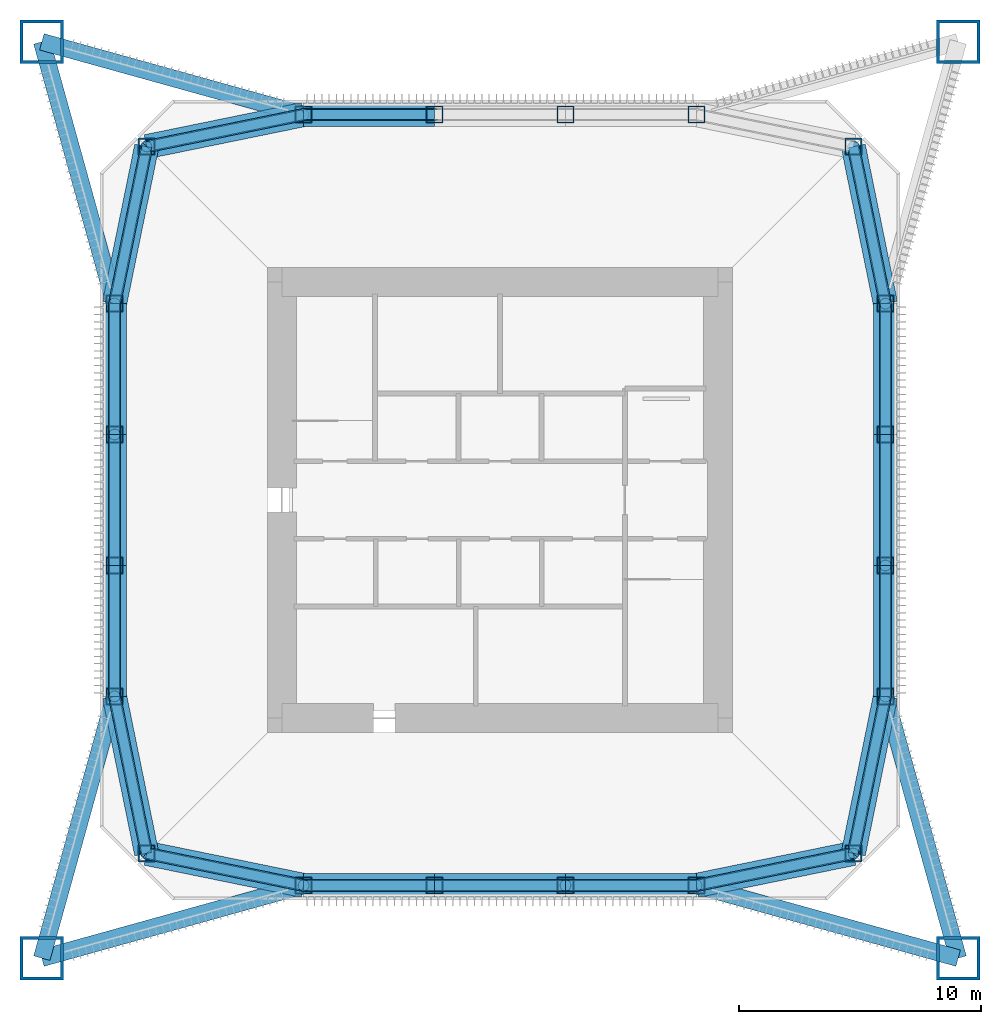
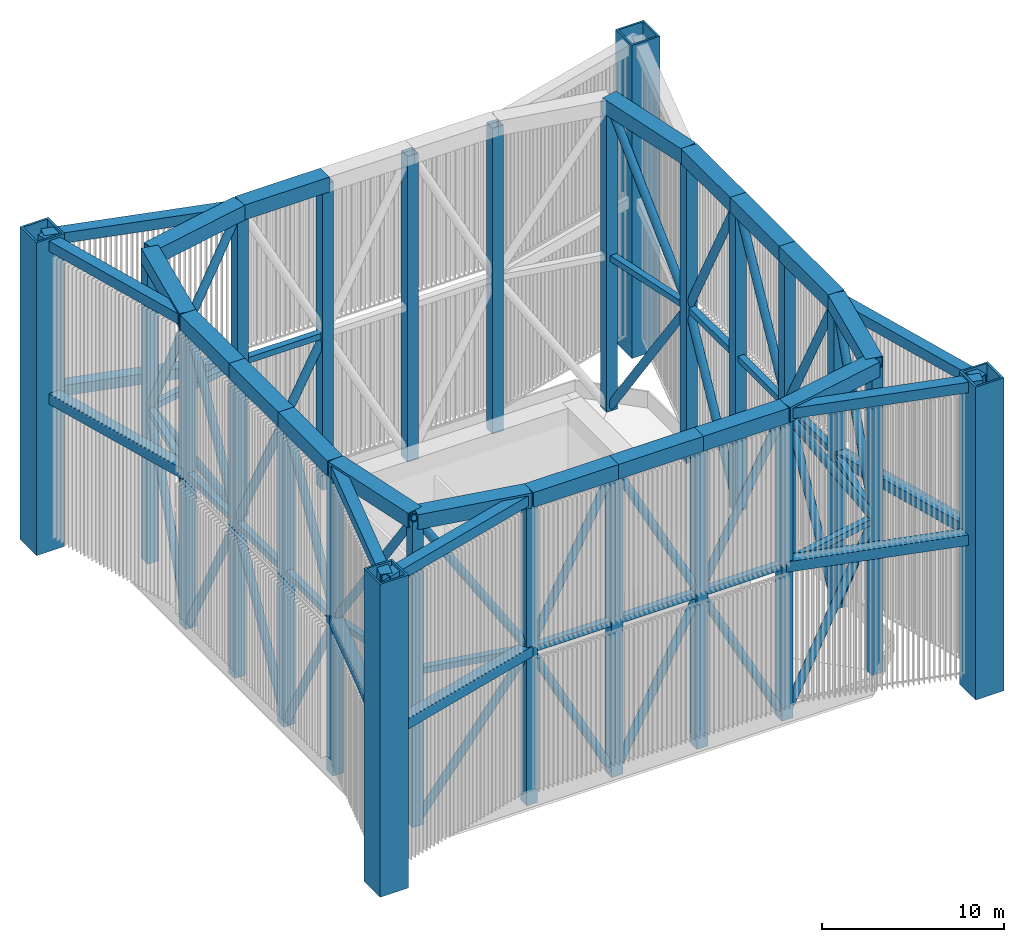
# One storey, part 1 of 13: 79 members, 24 columns.
"""IFC4 building model written with IfcOpenShell, lengths in metres."""

from ifc_helpers import new_model, si_unit, direction, frame, origin, origin_2d, place, context, subcontext, project, spatial, hollow_rectangle, hollow_circle, extrude, material, material_profile, profile_set, type_object, element, save


model = new_model("IFC4")

# Units and contexts
model_context = context("Model", 3, precision=1e-05, world=origin(), true_north=direction((0.0, 1.0)))
body_context = subcontext(model_context, "Body", "Model", "MODEL_VIEW")
ifc_project = project(units=[si_unit("LENGTHUNIT", "METRE"), si_unit("AREAUNIT", "SQUARE_METRE"), si_unit("VOLUMEUNIT", "CUBIC_METRE"), si_unit("PLANEANGLEUNIT", "RADIAN"), si_unit("MASSUNIT", "GRAM", prefix="KILO")], contexts=[model_context])

# Site, building, storey
site_placement = place(None, origin())
site = spatial("IfcSite", under=ifc_project, at=site_placement, CompositionType="ELEMENT")
building_placement = place(site_placement, origin())
building = spatial("IfcBuilding", under=site, at=building_placement, Name="Iwan Alto Co-Living Towers", CompositionType="ELEMENT")
storey_placement = place(building_placement, frame((0.0, 0.0, 267.5)))
storey = spatial("IfcBuildingStorey", under=building, at=storey_placement, Name="RF", CompositionType="ELEMENT", Elevation=267.5)

# Columns
ifc_material_1 = material(Name="Steel ASTM A572 Gr 42", Category="steel")
ifc_material_profile_1 = material_profile(ifc_material_1, hollow_rectangle(XDim=1.800048828125, YDim=1.800048828125, WallThickness=0.1298828125, at=origin_2d()), Name="BOX 1800X1800X130")
ifc_profile_set_1 = profile_set([ifc_material_profile_1], Name="Steel ASTM A572 Gr 42")
column_type_1 = type_object("IfcColumnType", Name="T1 CROWN FRAME MEGA POST BOX 1800X1800X130", PredefinedType="COLUMN", material=ifc_profile_set_1)
for number, where, z_axis, x_axis, name in (
    (1, (-18.89990234375, -18.89990234375, 0.0), (0.0, 0.0, 1.0), (1.0, 0.0, 0.0), "T1 crown frame mega post SW"),
    (2, (18.89990234375, -18.89990234375, 0.0), (0.0, 0.0, 1.0), (1.0, 0.0, 0.0), "T1 crown frame mega post SE"),
    (3, (18.89990234375, 18.89990234375, 0.0), (0.0, 0.0, 1.0), (1.0, 0.0, 0.0), "T1 crown frame mega post NE"),
    (4, (-18.89990234375, 18.89990234375, 0.0), (0.0, 0.0, 1.0), (1.0, 0.0, 0.0), "T1 crown frame mega post NW"),
):
    element("IfcColumn", number, at=place(storey_placement, frame(where, z_axis=z_axis, x_axis=x_axis)), inside=storey, type_object=column_type_1, Name=name, PredefinedType="COLUMN", context=body_context, shape_type="SweptSolid", body=[
        extrude(hollow_rectangle(XDim=1.800048828125, YDim=1.800048828125, WallThickness=0.1298828125, at=origin_2d()), origin(), (0.0, 0.0, 1.0), 21.0),
    ])
ifc_material_2 = material(Name="Steel ASTM A572 Gr 50", Category="steel")
ifc_material_profile_2 = material_profile(ifc_material_2, hollow_rectangle(XDim=0.699951171875, YDim=0.699951171875, WallThickness=0.044921875, at=origin_2d()), Name="BOX 700X700X45")
ifc_profile_set_2 = profile_set([ifc_material_profile_2], Name="Steel ASTM A572 Gr 50")
column_type_2 = type_object("IfcColumnType", Name="T1 CROWN FRAME POST BOX 700X700X45", PredefinedType="COLUMN", material=ifc_profile_set_2)
for number, where, z_axis, x_axis, name in (
    (5, (-14.57568359375, -14.57568359375, 0.0), (0.0, 0.0, 1.0), (1.0, 0.0, 0.0), "T1 crown frame post CSW"),
    (6, (-8.10009765625, -15.89990234375, 0.0), (0.0, 0.0, 1.0), (1.0, 0.0, 0.0), "T1 crown frame post S1"),
    (7, (-2.699951171875, -15.89990234375, 0.0), (0.0, 0.0, 1.0), (1.0, 0.0, 0.0), "T1 crown frame post S2"),
    (8, (2.699951171875, -15.89990234375, 0.0), (0.0, 0.0, 1.0), (1.0, 0.0, 0.0), "T1 crown frame post S3"),
    (9, (8.10009765625, -15.89990234375, 0.0), (0.0, 0.0, 1.0), (1.0, 0.0, 0.0), "T1 crown frame post S4"),
    (10, (14.57568359375, -14.57568359375, 0.0), (0.0, 0.0, 1.0), (1.0, 0.0, 0.0), "T1 crown frame post CSE"),
    (11, (15.89990234375, -8.10009765625, 0.0), (0.0, 0.0, 1.0), (1.0, 0.0, 0.0), "T1 crown frame post E1"),
    (12, (15.89990234375, -2.699951171875, 0.0), (0.0, 0.0, 1.0), (1.0, 0.0, 0.0), "T1 crown frame post E2"),
    (13, (15.89990234375, 2.699951171875, 0.0), (0.0, 0.0, 1.0), (1.0, 0.0, 0.0), "T1 crown frame post E3"),
    (14, (15.89990234375, 8.10009765625, 0.0), (0.0, 0.0, 1.0), (1.0, 0.0, 0.0), "T1 crown frame post E4"),
    (15, (14.57568359375, 14.57568359375, 0.0), (0.0, 0.0, 1.0), (1.0, 0.0, 0.0), "T1 crown frame post CNE"),
    (16, (8.10009765625, 15.89990234375, 0.0), (0.0, 0.0, 1.0), (1.0, 0.0, 0.0), "T1 crown frame post N1"),
    (17, (2.699951171875, 15.89990234375, 0.0), (0.0, 0.0, 1.0), (1.0, 0.0, 0.0), "T1 crown frame post N2"),
    (18, (-2.699951171875, 15.89990234375, 0.0), (0.0, 0.0, 1.0), (1.0, 0.0, 0.0), "T1 crown frame post N3"),
    (19, (-8.10009765625, 15.89990234375, 0.0), (0.0, 0.0, 1.0), (1.0, 0.0, 0.0), "T1 crown frame post N4"),
    (20, (-14.57568359375, 14.57568359375, 0.0), (0.0, 0.0, 1.0), (1.0, 0.0, 0.0), "T1 crown frame post CNW"),
    (21, (-15.89990234375, 8.10009765625, 0.0), (0.0, 0.0, 1.0), (1.0, 0.0, 0.0), "T1 crown frame post W1"),
    (22, (-15.89990234375, 2.699951171875, 0.0), (0.0, 0.0, 1.0), (1.0, 0.0, 0.0), "T1 crown frame post W2"),
    (23, (-15.89990234375, -2.699951171875, 0.0), (0.0, 0.0, 1.0), (1.0, 0.0, 0.0), "T1 crown frame post W3"),
    (24, (-15.89990234375, -8.10009765625, 0.0), (0.0, 0.0, 1.0), (1.0, 0.0, 0.0), "T1 crown frame post W4"),
):
    element("IfcColumn", number, at=place(storey_placement, frame(where, z_axis=z_axis, x_axis=x_axis)), inside=storey, type_object=column_type_2, Name=name, PredefinedType="COLUMN", context=body_context, shape_type="SweptSolid", body=[
        extrude(hollow_rectangle(XDim=0.699951171875, YDim=0.699951171875, WallThickness=0.044921875, at=origin_2d()), origin(), (0.0, 0.0, 1.0), 20.5),
    ])

# Members
ifc_material_3 = material(Name="Steel ASTM A500 Gr C", Category="steel")
ifc_material_profile_3 = material_profile(ifc_material_3, hollow_circle(Radius=0.25390625, WallThickness=0.01171875, at=origin_2d()), Name="HSS20.000X0.500")
ifc_profile_set_3 = profile_set([ifc_material_profile_3], Name="Steel ASTM A500 Gr C")
member_type_1 = type_object("IfcMemberType", Name="T1 CROWN FRAME BRACE HSS20.000X0.500", PredefinedType="BRACE", material=ifc_profile_set_3)
for number, where, z_axis, x_axis, name in (
    (25, (-14.57568359375, -14.57568359375, 0.0), (0.530947587587, -0.108575618876, 0.840420129591), (0.200347889618, 0.979724820103, 0.0), "T1 crown frame brace lower CSW"),
    (26, (-8.10009765625, -15.89990234375, 10.25), (-0.530947587587, 0.108575618876, 0.840420129591), (-0.200347889618, -0.979724820103, 0.0), "T1 crown frame brace upper CSW"),
):
    element("IfcMember", number, at=place(storey_placement, frame(where, z_axis=z_axis, x_axis=x_axis)), inside=storey, type_object=member_type_1, Name=name, PredefinedType="BRACE", context=body_context, shape_type="SweptSolid", body=[
        extrude(hollow_circle(Radius=0.25390625, WallThickness=0.01171875, at=origin_2d()), origin(), (0.0, 0.0, 1.0), 12.1962890625),
    ])
for number, where, z_axis, x_axis, name in (
    (27, (-2.699951171875, -15.89990234375, 0.0), (-0.466112038043, 0.0, 0.88472570212), (0.0, -1.0, 0.0), "T1 crown frame brace lower S1"),
    (28, (-8.10009765625, -15.89990234375, 10.25), (0.466112038043, 0.0, 0.88472570212), (0.0, 1.0, 0.0), "T1 crown frame brace upper S1"),
    (29, (-2.699951171875, -15.89990234375, 0.0), (0.466095543187, 0.0, 0.884734392132), (0.0, 1.0, 0.0), "T1 crown frame brace lower S2"),
    (30, (2.699951171875, -15.89990234375, 10.25), (-0.466095543187, 0.0, 0.884734392132), (0.0, -1.0, 0.0), "T1 crown frame brace upper S2"),
    (31, (8.10009765625, -15.89990234375, 0.0), (-0.466112038043, 0.0, 0.88472570212), (0.0, -1.0, 0.0), "T1 crown frame brace lower S3"),
    (32, (2.699951171875, -15.89990234375, 10.25), (0.466112038043, 0.0, 0.88472570212), (0.0, 1.0, 0.0), "T1 crown frame brace upper S3"),
):
    element("IfcMember", number, at=place(storey_placement, frame(where, z_axis=z_axis, x_axis=x_axis)), inside=storey, type_object=member_type_1, Name=name, PredefinedType="BRACE", context=body_context, shape_type="SweptSolid", body=[
        extrude(hollow_circle(Radius=0.25390625, WallThickness=0.01171875, at=origin_2d()), origin(), (0.0, 0.0, 1.0), 11.58544921875),
    ])
for number, where, z_axis, x_axis, name in (
    (33, (8.10009765625, -15.89990234375, 0.0), (0.530947587587, 0.108575618876, 0.840420129591), (-0.200347889618, 0.979724820103, 0.0), "T1 crown frame brace lower S4"),
    (34, (14.57568359375, -14.57568359375, 10.25), (-0.530947587587, -0.108575618876, 0.840420129591), (0.200347889618, -0.979724820103, 0.0), "T1 crown frame brace upper S4"),
    (35, (15.89990234375, -8.10009765625, 0.0), (-0.108575618876, -0.530947587587, 0.840420129591), (0.979724820103, -0.200347889618, 0.0), "T1 crown frame brace lower CSE"),
    (36, (14.57568359375, -14.57568359375, 10.25), (0.108575618876, 0.530947587587, 0.840420129591), (-0.979724820103, 0.200347889618, 0.0), "T1 crown frame brace upper CSE"),
):
    element("IfcMember", number, at=place(storey_placement, frame(where, z_axis=z_axis, x_axis=x_axis)), inside=storey, type_object=member_type_1, Name=name, PredefinedType="BRACE", context=body_context, shape_type="SweptSolid", body=[
        extrude(hollow_circle(Radius=0.25390625, WallThickness=0.01171875, at=origin_2d()), origin(), (0.0, 0.0, 1.0), 12.1962890625),
    ])
for number, where, z_axis, x_axis, name in (
    (37, (15.89990234375, -8.10009765625, 0.0), (0.0, 0.466112038043, 0.88472570212), (-1.0, 0.0, 0.0), "T1 crown frame brace lower E1"),
    (38, (15.89990234375, -2.699951171875, 10.25), (0.0, -0.466112038043, 0.88472570212), (1.0, 0.0, 0.0), "T1 crown frame brace upper E1"),
    (39, (15.89990234375, 2.699951171875, 0.0), (0.0, -0.466095543187, 0.884734392132), (1.0, 0.0, 0.0), "T1 crown frame brace lower E2"),
    (40, (15.89990234375, -2.699951171875, 10.25), (0.0, 0.466095543187, 0.884734392132), (-1.0, 0.0, 0.0), "T1 crown frame brace upper E2"),
    (41, (15.89990234375, 2.699951171875, 0.0), (0.0, 0.466112038043, 0.88472570212), (-1.0, 0.0, 0.0), "T1 crown frame brace lower E3"),
    (42, (15.89990234375, 8.10009765625, 10.25), (0.0, -0.466112038043, 0.88472570212), (1.0, 0.0, 0.0), "T1 crown frame brace upper E3"),
):
    element("IfcMember", number, at=place(storey_placement, frame(where, z_axis=z_axis, x_axis=x_axis)), inside=storey, type_object=member_type_1, Name=name, PredefinedType="BRACE", context=body_context, shape_type="SweptSolid", body=[
        extrude(hollow_circle(Radius=0.25390625, WallThickness=0.01171875, at=origin_2d()), origin(), (0.0, 0.0, 1.0), 11.58544921875),
    ])
for number, where, z_axis, x_axis, name in (
    (43, (14.57568359375, 14.57568359375, 0.0), (0.108575618876, -0.530947587587, 0.840420129591), (0.979724820103, 0.200347889618, 0.0), "T1 crown frame brace lower E4"),
    (44, (15.89990234375, 8.10009765625, 10.25), (-0.108575618876, 0.530947587587, 0.840420129591), (-0.979724820103, -0.200347889618, 0.0), "T1 crown frame brace upper E4"),
):
    element("IfcMember", number, at=place(storey_placement, frame(where, z_axis=z_axis, x_axis=x_axis)), inside=storey, type_object=member_type_1, Name=name, PredefinedType="BRACE", context=body_context, shape_type="SweptSolid", body=[
        extrude(hollow_circle(Radius=0.25390625, WallThickness=0.01171875, at=origin_2d()), origin(), (0.0, 0.0, 1.0), 12.1962890625),
    ])
member_1_placement = place(storey_placement, frame((-8.10009765625, 15.89990234375, 0.0), z_axis=(0.466112038043, 0.0, 0.88472570212), x_axis=(0.0, 1.0, 0.0)))
element("IfcMember", 45, at=member_1_placement, inside=storey, type_object=member_type_1, Name="T1 crown frame brace lower N3", PredefinedType="BRACE", context=body_context, shape_type="SweptSolid", body=[
    extrude(hollow_circle(Radius=0.25390625, WallThickness=0.01171875, at=origin_2d()), origin(), (0.0, 0.0, 1.0), 11.58544921875),
])
for number, where, z_axis, x_axis, name in (
    (46, (-8.10009765625, 15.89990234375, 0.0), (-0.530947587587, -0.108575618876, 0.840420129591), (0.200347889618, -0.979724820103, 0.0), "T1 crown frame brace lower N4"),
    (47, (-14.57568359375, 14.57568359375, 10.25), (0.530947587587, 0.108575618876, 0.840420129591), (-0.200347889618, 0.979724820103, 0.0), "T1 crown frame brace upper N4"),
    (48, (-15.89990234375, 8.10009765625, 0.0), (0.108575618876, 0.530947587587, 0.840420129591), (-0.979724820103, 0.200347889618, 0.0), "T1 crown frame brace lower CNW"),
    (49, (-14.57568359375, 14.57568359375, 10.25), (-0.108575618876, -0.530947587587, 0.840420129591), (0.979724820103, -0.200347889618, 0.0), "T1 crown frame brace upper CNW"),
):
    element("IfcMember", number, at=place(storey_placement, frame(where, z_axis=z_axis, x_axis=x_axis)), inside=storey, type_object=member_type_1, Name=name, PredefinedType="BRACE", context=body_context, shape_type="SweptSolid", body=[
        extrude(hollow_circle(Radius=0.25390625, WallThickness=0.01171875, at=origin_2d()), origin(), (0.0, 0.0, 1.0), 12.1962890625),
    ])
for number, where, z_axis, x_axis, name in (
    (50, (-15.89990234375, 8.10009765625, 0.0), (0.0, -0.466112038043, 0.88472570212), (1.0, 0.0, 0.0), "T1 crown frame brace lower W1"),
    (51, (-15.89990234375, 2.699951171875, 10.25), (0.0, 0.466112038043, 0.88472570212), (-1.0, 0.0, 0.0), "T1 crown frame brace upper W1"),
    (52, (-15.89990234375, -2.699951171875, 0.0), (0.0, 0.466095543187, 0.884734392132), (-1.0, 0.0, 0.0), "T1 crown frame brace lower W2"),
    (53, (-15.89990234375, 2.699951171875, 10.25), (0.0, -0.466095543187, 0.884734392132), (1.0, 0.0, 0.0), "T1 crown frame brace upper W2"),
    (54, (-15.89990234375, -2.699951171875, 0.0), (0.0, -0.466112038043, 0.88472570212), (1.0, 0.0, 0.0), "T1 crown frame brace lower W3"),
    (55, (-15.89990234375, -8.10009765625, 10.25), (0.0, 0.466112038043, 0.88472570212), (-1.0, 0.0, 0.0), "T1 crown frame brace upper W3"),
):
    element("IfcMember", number, at=place(storey_placement, frame(where, z_axis=z_axis, x_axis=x_axis)), inside=storey, type_object=member_type_1, Name=name, PredefinedType="BRACE", context=body_context, shape_type="SweptSolid", body=[
        extrude(hollow_circle(Radius=0.25390625, WallThickness=0.01171875, at=origin_2d()), origin(), (0.0, 0.0, 1.0), 11.58544921875),
    ])
for number, where, z_axis, x_axis, name in (
    (56, (-14.57568359375, -14.57568359375, 0.0), (-0.108575618876, 0.530947587587, 0.840420129591), (-0.979724820103, -0.200347889618, 0.0), "T1 crown frame brace lower W4"),
    (57, (-15.89990234375, -8.10009765625, 10.25), (0.108575618876, -0.530947587587, 0.840420129591), (0.979724820103, 0.200347889618, 0.0), "T1 crown frame brace upper W4"),
):
    element("IfcMember", number, at=place(storey_placement, frame(where, z_axis=z_axis, x_axis=x_axis)), inside=storey, type_object=member_type_1, Name=name, PredefinedType="BRACE", context=body_context, shape_type="SweptSolid", body=[
        extrude(hollow_circle(Radius=0.25390625, WallThickness=0.01171875, at=origin_2d()), origin(), (0.0, 0.0, 1.0), 12.1962890625),
    ])
ifc_material_4 = material(Name="Steel ASTM A572 Gr 50", Category="steel")
ifc_material_profile_4 = material_profile(ifc_material_4, hollow_rectangle(XDim=1.0, YDim=1.0, WallThickness=0.050048828125, at=origin_2d()), Name="BOX 1000X1000X50")
ifc_profile_set_4 = profile_set([ifc_material_profile_4], Name="Steel ASTM A572 Gr 50")
member_type_2 = type_object("IfcMemberType", Name="T1 CROWN FRAME CAP RING BOX 1000X1000X50", PredefinedType="MEMBER", material=ifc_profile_set_4)
member_2_placement = place(storey_placement, frame((-14.57568359375, -14.57568359375, 20.5), z_axis=(0.979724820103, -0.200347889618, 0.0), x_axis=(0.200347889618, 0.979724820103, 0.0)))
element("IfcMember", 58, at=member_2_placement, inside=storey, type_object=member_type_2, Name="T1 crown frame cap ring CSW", PredefinedType="MEMBER", context=body_context, shape_type="SweptSolid", body=[
    extrude(hollow_rectangle(XDim=1.0, YDim=1.0, WallThickness=0.050048828125, at=origin_2d()), origin(), (0.0, 0.0, 1.0), 6.609619140625),
])
member_3_placement = place(storey_placement, frame((-8.10009765625, -15.89990234375, 20.5), z_axis=(1.0, 0.0, 0.0), x_axis=(0.0, 1.0, 0.0)))
element("IfcMember", 59, at=member_3_placement, inside=storey, type_object=member_type_2, Name="T1 crown frame cap ring S1", PredefinedType="MEMBER", context=body_context, shape_type="SweptSolid", body=[
    extrude(hollow_rectangle(XDim=1.0, YDim=1.0, WallThickness=0.050048828125, at=origin_2d()), origin(), (0.0, 0.0, 1.0), 5.400146484375),
])
member_4_placement = place(storey_placement, frame((-2.699951171875, -15.89990234375, 20.5), z_axis=(1.0, 0.0, 0.0), x_axis=(0.0, 1.0, 0.0)))
element("IfcMember", 60, at=member_4_placement, inside=storey, type_object=member_type_2, Name="T1 crown frame cap ring S2", PredefinedType="MEMBER", context=body_context, shape_type="SweptSolid", body=[
    extrude(hollow_rectangle(XDim=1.0, YDim=1.0, WallThickness=0.050048828125, at=origin_2d()), origin(), (0.0, 0.0, 1.0), 5.39990234375),
])
member_5_placement = place(storey_placement, frame((2.699951171875, -15.89990234375, 20.5), z_axis=(1.0, 0.0, 0.0), x_axis=(0.0, 1.0, 0.0)))
element("IfcMember", 61, at=member_5_placement, inside=storey, type_object=member_type_2, Name="T1 crown frame cap ring S3", PredefinedType="MEMBER", context=body_context, shape_type="SweptSolid", body=[
    extrude(hollow_rectangle(XDim=1.0, YDim=1.0, WallThickness=0.050048828125, at=origin_2d()), origin(), (0.0, 0.0, 1.0), 5.400146484375),
])
for number, where, z_axis, x_axis, name in (
    (62, (8.10009765625, -15.89990234375, 20.5), (0.979724820103, 0.200347889618, 0.0), (-0.200347889618, 0.979724820103, 0.0), "T1 crown frame cap ring S4"),
    (63, (14.57568359375, -14.57568359375, 20.5), (0.200347889618, 0.979724820103, 0.0), (-0.979724820103, 0.200347889618, 0.0), "T1 crown frame cap ring CSE"),
):
    element("IfcMember", number, at=place(storey_placement, frame(where, z_axis=z_axis, x_axis=x_axis)), inside=storey, type_object=member_type_2, Name=name, PredefinedType="MEMBER", context=body_context, shape_type="SweptSolid", body=[
        extrude(hollow_rectangle(XDim=1.0, YDim=1.0, WallThickness=0.050048828125, at=origin_2d()), origin(), (0.0, 0.0, 1.0), 6.609619140625),
    ])
member_6_placement = place(storey_placement, frame((15.89990234375, -8.10009765625, 20.5), z_axis=(0.0, 1.0, 0.0), x_axis=(-1.0, 0.0, 0.0)))
element("IfcMember", 64, at=member_6_placement, inside=storey, type_object=member_type_2, Name="T1 crown frame cap ring E1", PredefinedType="MEMBER", context=body_context, shape_type="SweptSolid", body=[
    extrude(hollow_rectangle(XDim=1.0, YDim=1.0, WallThickness=0.050048828125, at=origin_2d()), origin(), (0.0, 0.0, 1.0), 5.400146484375),
])
member_7_placement = place(storey_placement, frame((15.89990234375, -2.699951171875, 20.5), z_axis=(0.0, 1.0, 0.0), x_axis=(-1.0, 0.0, 0.0)))
element("IfcMember", 65, at=member_7_placement, inside=storey, type_object=member_type_2, Name="T1 crown frame cap ring E2", PredefinedType="MEMBER", context=body_context, shape_type="SweptSolid", body=[
    extrude(hollow_rectangle(XDim=1.0, YDim=1.0, WallThickness=0.050048828125, at=origin_2d()), origin(), (0.0, 0.0, 1.0), 5.39990234375),
])
member_8_placement = place(storey_placement, frame((15.89990234375, 2.699951171875, 20.5), z_axis=(0.0, 1.0, 0.0), x_axis=(-1.0, 0.0, 0.0)))
element("IfcMember", 66, at=member_8_placement, inside=storey, type_object=member_type_2, Name="T1 crown frame cap ring E3", PredefinedType="MEMBER", context=body_context, shape_type="SweptSolid", body=[
    extrude(hollow_rectangle(XDim=1.0, YDim=1.0, WallThickness=0.050048828125, at=origin_2d()), origin(), (0.0, 0.0, 1.0), 5.400146484375),
])
member_9_placement = place(storey_placement, frame((15.89990234375, 8.10009765625, 20.5), z_axis=(-0.200347889618, 0.979724820103, 0.0), x_axis=(-0.979724820103, -0.200347889618, 0.0)))
element("IfcMember", 67, at=member_9_placement, inside=storey, type_object=member_type_2, Name="T1 crown frame cap ring E4", PredefinedType="MEMBER", context=body_context, shape_type="SweptSolid", body=[
    extrude(hollow_rectangle(XDim=1.0, YDim=1.0, WallThickness=0.050048828125, at=origin_2d()), origin(), (0.0, 0.0, 1.0), 6.609619140625),
])
member_10_placement = place(storey_placement, frame((-2.699951171875, 15.89990234375, 20.5), z_axis=(-1.0, 0.0, 0.0), x_axis=(0.0, -1.0, 0.0)))
element("IfcMember", 68, at=member_10_placement, inside=storey, type_object=member_type_2, Name="T1 crown frame cap ring N3", PredefinedType="MEMBER", context=body_context, shape_type="SweptSolid", body=[
    extrude(hollow_rectangle(XDim=1.0, YDim=1.0, WallThickness=0.050048828125, at=origin_2d()), origin(), (0.0, 0.0, 1.0), 5.400146484375),
])
for number, where, z_axis, x_axis, name in (
    (69, (-8.10009765625, 15.89990234375, 20.5), (-0.979724820103, -0.200347889618, 0.0), (0.200347889618, -0.979724820103, 0.0), "T1 crown frame cap ring N4"),
    (70, (-14.57568359375, 14.57568359375, 20.5), (-0.200347889618, -0.979724820103, 0.0), (0.979724820103, -0.200347889618, 0.0), "T1 crown frame cap ring CNW"),
):
    element("IfcMember", number, at=place(storey_placement, frame(where, z_axis=z_axis, x_axis=x_axis)), inside=storey, type_object=member_type_2, Name=name, PredefinedType="MEMBER", context=body_context, shape_type="SweptSolid", body=[
        extrude(hollow_rectangle(XDim=1.0, YDim=1.0, WallThickness=0.050048828125, at=origin_2d()), origin(), (0.0, 0.0, 1.0), 6.609619140625),
    ])
member_11_placement = place(storey_placement, frame((-15.89990234375, 8.10009765625, 20.5), z_axis=(0.0, -1.0, 0.0), x_axis=(1.0, 0.0, 0.0)))
element("IfcMember", 71, at=member_11_placement, inside=storey, type_object=member_type_2, Name="T1 crown frame cap ring W1", PredefinedType="MEMBER", context=body_context, shape_type="SweptSolid", body=[
    extrude(hollow_rectangle(XDim=1.0, YDim=1.0, WallThickness=0.050048828125, at=origin_2d()), origin(), (0.0, 0.0, 1.0), 5.400146484375),
])
member_12_placement = place(storey_placement, frame((-15.89990234375, 2.699951171875, 20.5), z_axis=(0.0, -1.0, 0.0), x_axis=(1.0, 0.0, 0.0)))
element("IfcMember", 72, at=member_12_placement, inside=storey, type_object=member_type_2, Name="T1 crown frame cap ring W2", PredefinedType="MEMBER", context=body_context, shape_type="SweptSolid", body=[
    extrude(hollow_rectangle(XDim=1.0, YDim=1.0, WallThickness=0.050048828125, at=origin_2d()), origin(), (0.0, 0.0, 1.0), 5.39990234375),
])
member_13_placement = place(storey_placement, frame((-15.89990234375, -2.699951171875, 20.5), z_axis=(0.0, -1.0, 0.0), x_axis=(1.0, 0.0, 0.0)))
element("IfcMember", 73, at=member_13_placement, inside=storey, type_object=member_type_2, Name="T1 crown frame cap ring W3", PredefinedType="MEMBER", context=body_context, shape_type="SweptSolid", body=[
    extrude(hollow_rectangle(XDim=1.0, YDim=1.0, WallThickness=0.050048828125, at=origin_2d()), origin(), (0.0, 0.0, 1.0), 5.400146484375),
])
member_14_placement = place(storey_placement, frame((-15.89990234375, -8.10009765625, 20.5), z_axis=(0.200347889618, -0.979724820103, 0.0), x_axis=(0.979724820103, 0.200347889618, 0.0)))
element("IfcMember", 74, at=member_14_placement, inside=storey, type_object=member_type_2, Name="T1 crown frame cap ring W4", PredefinedType="MEMBER", context=body_context, shape_type="SweptSolid", body=[
    extrude(hollow_rectangle(XDim=1.0, YDim=1.0, WallThickness=0.050048828125, at=origin_2d()), origin(), (0.0, 0.0, 1.0), 6.609619140625),
])
ifc_material_5 = material(Name="Steel ASTM A500 Gr C", Category="steel")
ifc_material_profile_5 = material_profile(ifc_material_5, hollow_rectangle(XDim=0.406494140625, YDim=0.406494140625, WallThickness=0.0146484375, at=origin_2d()), Name="HSS16X16X5/8")
ifc_profile_set_5 = profile_set([ifc_material_profile_5], Name="Steel ASTM A500 Gr C")
member_type_3 = type_object("IfcMemberType", Name="T1 CROWN FRAME RING HSS16X16X5/8", PredefinedType="MEMBER", material=ifc_profile_set_5)
member_15_placement = place(storey_placement, frame((-14.57568359375, -14.57568359375, 10.25), z_axis=(0.979724820103, -0.200347889618, 0.0), x_axis=(0.200347889618, 0.979724820103, 0.0)))
element("IfcMember", 75, at=member_15_placement, inside=storey, type_object=member_type_3, Name="T1 crown frame ring CSW", PredefinedType="MEMBER", context=body_context, shape_type="SweptSolid", body=[
    extrude(hollow_rectangle(XDim=0.406494140625, YDim=0.406494140625, WallThickness=0.0146484375, at=origin_2d()), origin(), (0.0, 0.0, 1.0), 6.609619140625),
])
member_16_placement = place(storey_placement, frame((-8.10009765625, -15.89990234375, 10.25), z_axis=(1.0, 0.0, 0.0), x_axis=(0.0, 1.0, 0.0)))
element("IfcMember", 76, at=member_16_placement, inside=storey, type_object=member_type_3, Name="T1 crown frame ring S1", PredefinedType="MEMBER", context=body_context, shape_type="SweptSolid", body=[
    extrude(hollow_rectangle(XDim=0.406494140625, YDim=0.406494140625, WallThickness=0.0146484375, at=origin_2d()), origin(), (0.0, 0.0, 1.0), 5.400146484375),
])
member_17_placement = place(storey_placement, frame((-2.699951171875, -15.89990234375, 10.25), z_axis=(1.0, 0.0, 0.0), x_axis=(0.0, 1.0, 0.0)))
element("IfcMember", 77, at=member_17_placement, inside=storey, type_object=member_type_3, Name="T1 crown frame ring S2", PredefinedType="MEMBER", context=body_context, shape_type="SweptSolid", body=[
    extrude(hollow_rectangle(XDim=0.406494140625, YDim=0.406494140625, WallThickness=0.0146484375, at=origin_2d()), origin(), (0.0, 0.0, 1.0), 5.39990234375),
])
member_18_placement = place(storey_placement, frame((2.699951171875, -15.89990234375, 10.25), z_axis=(1.0, 0.0, 0.0), x_axis=(0.0, 1.0, 0.0)))
element("IfcMember", 78, at=member_18_placement, inside=storey, type_object=member_type_3, Name="T1 crown frame ring S3", PredefinedType="MEMBER", context=body_context, shape_type="SweptSolid", body=[
    extrude(hollow_rectangle(XDim=0.406494140625, YDim=0.406494140625, WallThickness=0.0146484375, at=origin_2d()), origin(), (0.0, 0.0, 1.0), 5.400146484375),
])
for number, where, z_axis, x_axis, name in (
    (79, (8.10009765625, -15.89990234375, 10.25), (0.979724820103, 0.200347889618, 0.0), (-0.200347889618, 0.979724820103, 0.0), "T1 crown frame ring S4"),
    (80, (14.57568359375, -14.57568359375, 10.25), (0.200347889618, 0.979724820103, 0.0), (-0.979724820103, 0.200347889618, 0.0), "T1 crown frame ring CSE"),
):
    element("IfcMember", number, at=place(storey_placement, frame(where, z_axis=z_axis, x_axis=x_axis)), inside=storey, type_object=member_type_3, Name=name, PredefinedType="MEMBER", context=body_context, shape_type="SweptSolid", body=[
        extrude(hollow_rectangle(XDim=0.406494140625, YDim=0.406494140625, WallThickness=0.0146484375, at=origin_2d()), origin(), (0.0, 0.0, 1.0), 6.609619140625),
    ])
member_19_placement = place(storey_placement, frame((15.89990234375, -8.10009765625, 10.25), z_axis=(0.0, 1.0, 0.0), x_axis=(-1.0, 0.0, 0.0)))
element("IfcMember", 81, at=member_19_placement, inside=storey, type_object=member_type_3, Name="T1 crown frame ring E1", PredefinedType="MEMBER", context=body_context, shape_type="SweptSolid", body=[
    extrude(hollow_rectangle(XDim=0.406494140625, YDim=0.406494140625, WallThickness=0.0146484375, at=origin_2d()), origin(), (0.0, 0.0, 1.0), 5.400146484375),
])
member_20_placement = place(storey_placement, frame((15.89990234375, -2.699951171875, 10.25), z_axis=(0.0, 1.0, 0.0), x_axis=(-1.0, 0.0, 0.0)))
element("IfcMember", 82, at=member_20_placement, inside=storey, type_object=member_type_3, Name="T1 crown frame ring E2", PredefinedType="MEMBER", context=body_context, shape_type="SweptSolid", body=[
    extrude(hollow_rectangle(XDim=0.406494140625, YDim=0.406494140625, WallThickness=0.0146484375, at=origin_2d()), origin(), (0.0, 0.0, 1.0), 5.39990234375),
])
member_21_placement = place(storey_placement, frame((15.89990234375, 2.699951171875, 10.25), z_axis=(0.0, 1.0, 0.0), x_axis=(-1.0, 0.0, 0.0)))
element("IfcMember", 83, at=member_21_placement, inside=storey, type_object=member_type_3, Name="T1 crown frame ring E3", PredefinedType="MEMBER", context=body_context, shape_type="SweptSolid", body=[
    extrude(hollow_rectangle(XDim=0.406494140625, YDim=0.406494140625, WallThickness=0.0146484375, at=origin_2d()), origin(), (0.0, 0.0, 1.0), 5.400146484375),
])
member_22_placement = place(storey_placement, frame((15.89990234375, 8.10009765625, 10.25), z_axis=(-0.200347889618, 0.979724820103, 0.0), x_axis=(-0.979724820103, -0.200347889618, 0.0)))
element("IfcMember", 84, at=member_22_placement, inside=storey, type_object=member_type_3, Name="T1 crown frame ring E4", PredefinedType="MEMBER", context=body_context, shape_type="SweptSolid", body=[
    extrude(hollow_rectangle(XDim=0.406494140625, YDim=0.406494140625, WallThickness=0.0146484375, at=origin_2d()), origin(), (0.0, 0.0, 1.0), 6.609619140625),
])
member_23_placement = place(storey_placement, frame((-2.699951171875, 15.89990234375, 10.25), z_axis=(-1.0, 0.0, 0.0), x_axis=(0.0, -1.0, 0.0)))
element("IfcMember", 85, at=member_23_placement, inside=storey, type_object=member_type_3, Name="T1 crown frame ring N3", PredefinedType="MEMBER", context=body_context, shape_type="SweptSolid", body=[
    extrude(hollow_rectangle(XDim=0.406494140625, YDim=0.406494140625, WallThickness=0.0146484375, at=origin_2d()), origin(), (0.0, 0.0, 1.0), 5.400146484375),
])
for number, where, z_axis, x_axis, name in (
    (86, (-8.10009765625, 15.89990234375, 10.25), (-0.979724820103, -0.200347889618, 0.0), (0.200347889618, -0.979724820103, 0.0), "T1 crown frame ring N4"),
    (87, (-14.57568359375, 14.57568359375, 10.25), (-0.200347889618, -0.979724820103, 0.0), (0.979724820103, -0.200347889618, 0.0), "T1 crown frame ring CNW"),
):
    element("IfcMember", number, at=place(storey_placement, frame(where, z_axis=z_axis, x_axis=x_axis)), inside=storey, type_object=member_type_3, Name=name, PredefinedType="MEMBER", context=body_context, shape_type="SweptSolid", body=[
        extrude(hollow_rectangle(XDim=0.406494140625, YDim=0.406494140625, WallThickness=0.0146484375, at=origin_2d()), origin(), (0.0, 0.0, 1.0), 6.609619140625),
    ])
member_24_placement = place(storey_placement, frame((-15.89990234375, 8.10009765625, 10.25), z_axis=(0.0, -1.0, 0.0), x_axis=(1.0, 0.0, 0.0)))
element("IfcMember", 88, at=member_24_placement, inside=storey, type_object=member_type_3, Name="T1 crown frame ring W1", PredefinedType="MEMBER", context=body_context, shape_type="SweptSolid", body=[
    extrude(hollow_rectangle(XDim=0.406494140625, YDim=0.406494140625, WallThickness=0.0146484375, at=origin_2d()), origin(), (0.0, 0.0, 1.0), 5.400146484375),
])
member_25_placement = place(storey_placement, frame((-15.89990234375, 2.699951171875, 10.25), z_axis=(0.0, -1.0, 0.0), x_axis=(1.0, 0.0, 0.0)))
element("IfcMember", 89, at=member_25_placement, inside=storey, type_object=member_type_3, Name="T1 crown frame ring W2", PredefinedType="MEMBER", context=body_context, shape_type="SweptSolid", body=[
    extrude(hollow_rectangle(XDim=0.406494140625, YDim=0.406494140625, WallThickness=0.0146484375, at=origin_2d()), origin(), (0.0, 0.0, 1.0), 5.39990234375),
])
member_26_placement = place(storey_placement, frame((-15.89990234375, -2.699951171875, 10.25), z_axis=(0.0, -1.0, 0.0), x_axis=(1.0, 0.0, 0.0)))
element("IfcMember", 90, at=member_26_placement, inside=storey, type_object=member_type_3, Name="T1 crown frame ring W3", PredefinedType="MEMBER", context=body_context, shape_type="SweptSolid", body=[
    extrude(hollow_rectangle(XDim=0.406494140625, YDim=0.406494140625, WallThickness=0.0146484375, at=origin_2d()), origin(), (0.0, 0.0, 1.0), 5.400146484375),
])
member_27_placement = place(storey_placement, frame((-15.89990234375, -8.10009765625, 10.25), z_axis=(0.200347889618, -0.979724820103, 0.0), x_axis=(0.979724820103, 0.200347889618, 0.0)))
element("IfcMember", 91, at=member_27_placement, inside=storey, type_object=member_type_3, Name="T1 crown frame ring W4", PredefinedType="MEMBER", context=body_context, shape_type="SweptSolid", body=[
    extrude(hollow_rectangle(XDim=0.406494140625, YDim=0.406494140625, WallThickness=0.0146484375, at=origin_2d()), origin(), (0.0, 0.0, 1.0), 6.609619140625),
])
ifc_material_6 = material(Name="Steel ASTM A572 Gr 50", Category="steel")
ifc_material_profile_6 = material_profile(ifc_material_6, hollow_rectangle(XDim=0.699951171875, YDim=0.699951171875, WallThickness=0.044921875, at=origin_2d()), Name="BOX 700X700X45")
ifc_profile_set_6 = profile_set([ifc_material_profile_6], Name="Steel ASTM A572 Gr 50")
member_type_4 = type_object("IfcMemberType", Name="T1 CROWN FRAME TIE BOX 700X700X45", PredefinedType="MEMBER", material=ifc_profile_set_6)
for number, where, z_axis, x_axis, name in (
    (92, (-18.89990234375, -18.89990234375, 10.25), (0.963516661409, 0.267648357342, 0.0), (-0.267648357342, 0.963516661409, 0.0), "T1 crown frame tie 1 SW S1"),
    (93, (-18.89990234375, -18.89990234375, 20.5), (0.963516661409, 0.267648357342, 0.0), (-0.267648357342, 0.963516661409, 0.0), "T1 crown frame tie 2 SW S1"),
    (94, (-18.89990234375, -18.89990234375, 10.25), (0.267648357342, 0.963516661409, 0.0), (-0.963516661409, 0.267648357342, 0.0), "T1 crown frame tie 1 SW W4"),
    (95, (-18.89990234375, -18.89990234375, 20.5), (0.267648357342, 0.963516661409, 0.0), (-0.963516661409, 0.267648357342, 0.0), "T1 crown frame tie 2 SW W4"),
    (96, (18.89990234375, -18.89990234375, 10.25), (-0.267648357342, 0.963516661409, 0.0), (-0.963516661409, -0.267648357342, 0.0), "T1 crown frame tie 1 SE E1"),
    (97, (18.89990234375, -18.89990234375, 20.5), (-0.267648357342, 0.963516661409, 0.0), (-0.963516661409, -0.267648357342, 0.0), "T1 crown frame tie 2 SE E1"),
    (98, (18.89990234375, -18.89990234375, 10.25), (-0.963516661409, 0.267648357342, 0.0), (-0.267648357342, -0.963516661409, 0.0), "T1 crown frame tie 1 SE S4"),
    (99, (18.89990234375, -18.89990234375, 20.5), (-0.963516661409, 0.267648357342, 0.0), (-0.267648357342, -0.963516661409, 0.0), "T1 crown frame tie 2 SE S4"),
    (100, (-18.89990234375, 18.89990234375, 10.25), (0.267648357342, -0.963516661409, 0.0), (0.963516661409, 0.267648357342, 0.0), "T1 crown frame tie 1 NW W1"),
    (101, (-18.89990234375, 18.89990234375, 20.5), (0.267648357342, -0.963516661409, 0.0), (0.963516661409, 0.267648357342, 0.0), "T1 crown frame tie 2 NW W1"),
    (102, (-18.89990234375, 18.89990234375, 10.25), (0.963516661409, -0.267648357342, 0.0), (0.267648357342, 0.963516661409, 0.0), "T1 crown frame tie 1 NW N4"),
    (103, (-18.89990234375, 18.89990234375, 20.5), (0.963516661409, -0.267648357342, 0.0), (0.267648357342, 0.963516661409, 0.0), "T1 crown frame tie 2 NW N4"),
):
    element("IfcMember", number, at=place(storey_placement, frame(where, z_axis=z_axis, x_axis=x_axis)), inside=storey, type_object=member_type_4, Name=name, PredefinedType="MEMBER", context=body_context, shape_type="SweptSolid", body=[
        extrude(hollow_rectangle(XDim=0.699951171875, YDim=0.699951171875, WallThickness=0.044921875, at=origin_2d()), origin(), (0.0, 0.0, 1.0), 11.208740234375),
    ])

save(model, "model.ifc")
